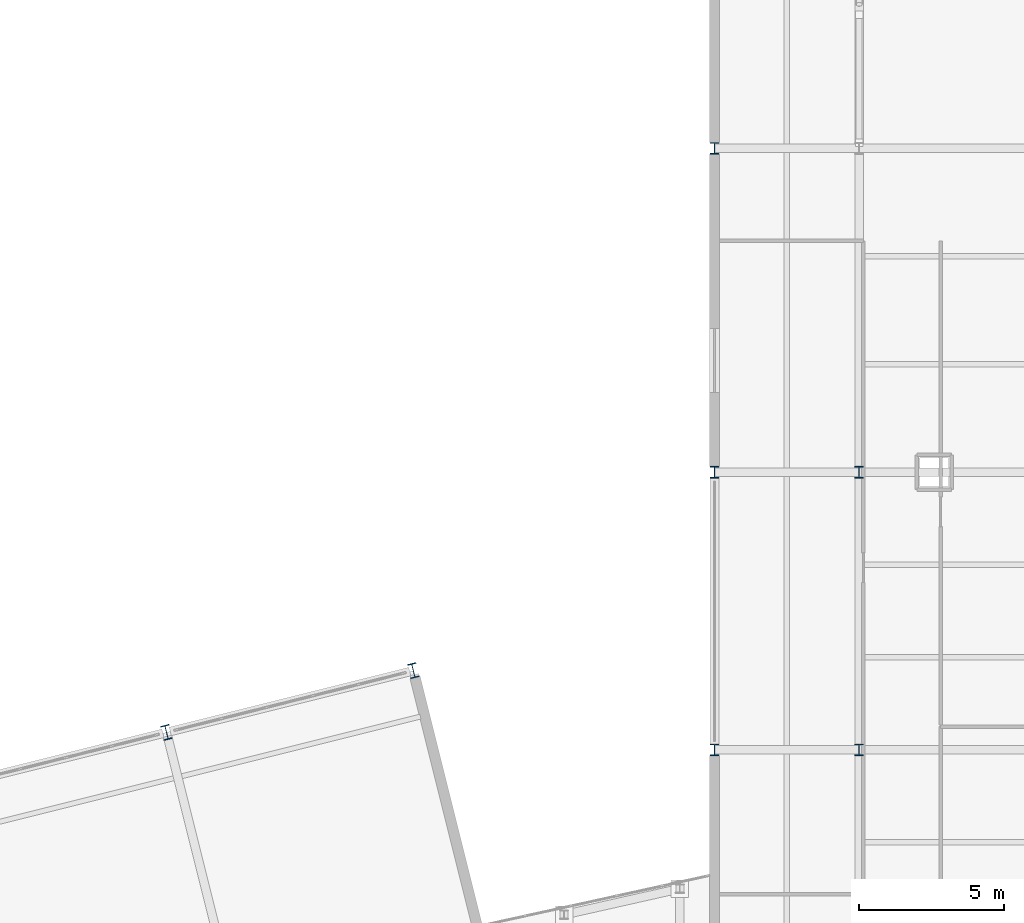
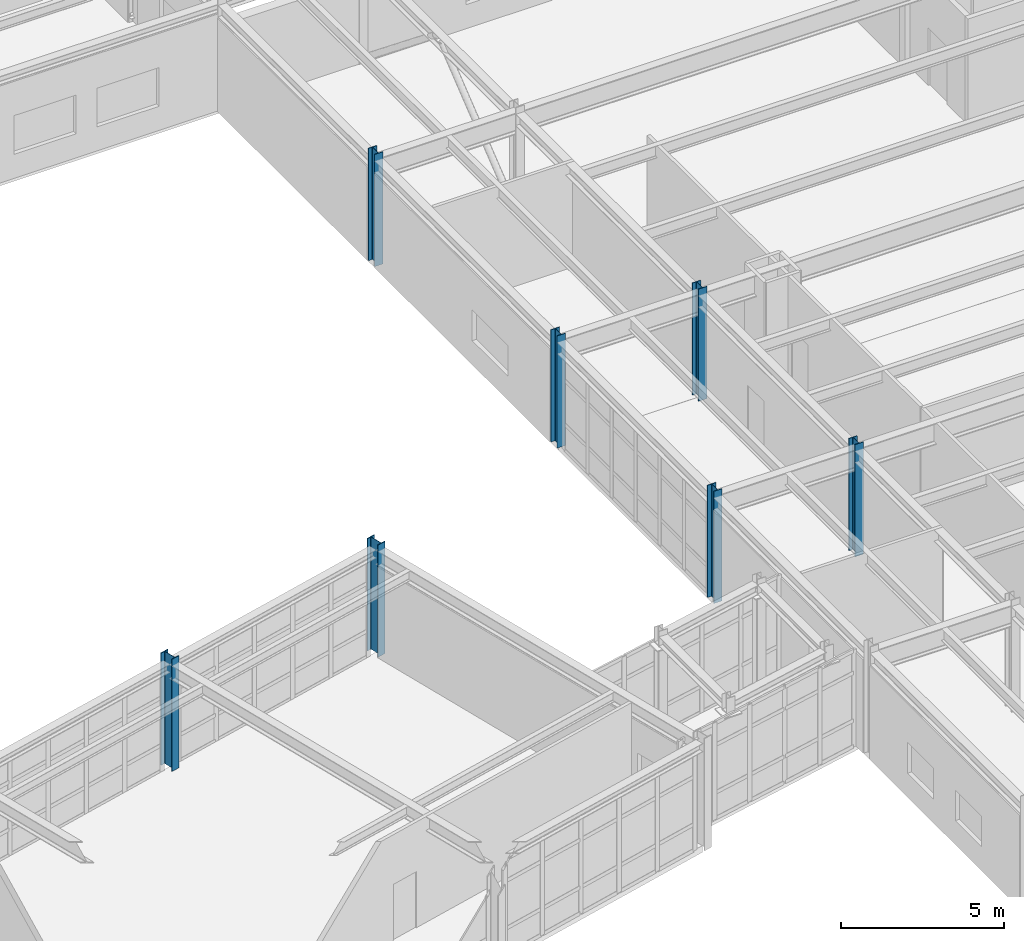
# One storey, part 13 of 99: 7 columns.
"""IFC4 building model written with IfcOpenShell, lengths in metres."""

import ifcopenshell
import ifcopenshell.guid

model = None  # the IFC model being written
_history = None  # IfcOwnerHistory: only IFC2X3 demands one
_inside = {}  # id of a spatial element -> (the spatial element, [elements in it])
_under = {}  # id of a project, library or spatial element -> (it, [spatial elements below it])
_declared = {}  # id of a project -> (the project, [libraries it declares])
_typed = {}  # id of a type object -> (the type object, [elements of that type])
_made_of = {}  # id of a material, layer set ... -> (it, [elements and type objects made of it])


def new_model(schema):
    """Start an empty IFC model of exactly this schema.

    Asked for "IFC4X3", IfcOpenShell would pick the latest addendum, in which some entities
    have other attributes; the version numbers below select the first issue.
    IFC2X3 requires an IfcOwnerHistory on every rooted entity: one is made here for all.
    """
    global model, _history
    if schema == "IFC4X3":
        model = ifcopenshell.file(schema_version=(4, 3, 0, 0))
    else:
        model = ifcopenshell.file(schema=schema)
    _inside.clear()
    _under.clear()
    _declared.clear()
    _typed.clear()
    _made_of.clear()
    _history = None
    if model.schema == "IFC2X3":
        org = make("IfcOrganization", Name="unknown")
        user = make(
            "IfcPersonAndOrganization",
            ThePerson=make("IfcPerson", FamilyName="unknown"),
            TheOrganization=org,
        )
        app = make(
            "IfcApplication",
            ApplicationDeveloper=org,
            Version="unknown",
            ApplicationFullName="unknown",
            ApplicationIdentifier="unknown",
        )
        _history = make(
            "IfcOwnerHistory",
            OwningUser=user,
            OwningApplication=app,
            ChangeAction="ADDED",
            CreationDate=0,
        )
    return model


def make(cls, **values):
    """One entity of the class cls with the attributes given. An attribute that is None is left unset."""
    return model.create_entity(
        cls, **{name: value for name, value in values.items() if value is not None}
    )


def rooted(cls, **values):
    """An entity with a GlobalId (a new one), such as an element, a storey or a relation."""
    return make(cls, GlobalId=ifcopenshell.guid.new(), OwnerHistory=_history, **values)


def si_unit(unit_type, name, prefix=None):
    """IfcSIUnit, for example si_unit("LENGTHUNIT", "METRE", prefix="MILLI")."""
    return make("IfcSIUnit", UnitType=unit_type, Prefix=prefix, Name=name)


def assignment(units):
    """IfcUnitAssignment: the units of a project."""
    return None if units is None else make("IfcUnitAssignment", Units=units)


def point(xyz):
    """IfcCartesianPoint."""
    return None if xyz is None else make("IfcCartesianPoint", Coordinates=xyz)


def direction(xyz):
    """IfcDirection."""
    return None if xyz is None else make("IfcDirection", DirectionRatios=xyz)


def frame(location, z_axis=None, x_axis=None):
    """IfcAxis2Placement3D, a coordinate frame: its origin and axes. An axis left out is left unset."""
    return make(
        "IfcAxis2Placement3D",
        Location=point(location),
        Axis=direction(z_axis),
        RefDirection=direction(x_axis),
    )


def frame_2d(location, x_axis=None):
    """IfcAxis2Placement2D, a coordinate frame in the plane: its origin and x axis."""
    return make(
        "IfcAxis2Placement2D", Location=point(location), RefDirection=direction(x_axis)
    )


def origin():
    """The frame at (0, 0, 0) with its axes left unset."""
    return frame((0.0, 0.0, 0.0))


def origin_2d():
    """The frame at (0, 0) in the plane with its x axis left unset."""
    return frame_2d((0.0, 0.0))


def place(relative_to, where):
    """IfcLocalPlacement: puts the frame where relative to a parent placement (None: the world)."""
    return make(
        "IfcLocalPlacement", PlacementRelTo=relative_to, RelativePlacement=where
    )


def context(
    kind, dimensions, precision=None, world=None, true_north=None, identifier=None
):
    """IfcGeometricRepresentationContext, for example the 3D "Model" context."""
    return make(
        "IfcGeometricRepresentationContext",
        ContextIdentifier=identifier,
        ContextType=kind,
        CoordinateSpaceDimension=dimensions,
        Precision=precision,
        WorldCoordinateSystem=world,
        TrueNorth=true_north,
    )


def subcontext(parent, identifier, kind, view, scale=None):
    """IfcGeometricRepresentationSubContext, for example "Body" below "Model"."""
    return make(
        "IfcGeometricRepresentationSubContext",
        ContextIdentifier=identifier,
        ContextType=kind,
        ParentContext=parent,
        TargetScale=scale,
        TargetView=view,
    )


def project(units=None, contexts=None):
    """IfcProject with its units and contexts."""
    return rooted(
        "IfcProject",
        Name="project",
        RepresentationContexts=contexts,
        UnitsInContext=assignment(units),
    )


def spatial(cls, under=None, at=None, **own):
    """A site, building, storey or space (cls), placed at a placement, below another one or the project."""
    s = rooted(cls, ObjectPlacement=at, **own)
    if under is not None:
        _under.setdefault(under.id(), (under, []))[1].append(s)
    return s


def profile(cls, at=None, kind="AREA", **sizes):
    """A parametric profile (cls). Its sizes go by their IFC names, for example OverallWidth=200.0."""
    return make(cls, ProfileType=kind, Position=at, **sizes)


def i_section(**sizes):
    """IfcIShapeProfileDef."""
    return profile("IfcIShapeProfileDef", **sizes)


def extrude(swept, where, along, depth):
    """IfcExtrudedAreaSolid: the profile swept, set in the frame where, extruded along a direction by depth."""
    return make(
        "IfcExtrudedAreaSolid",
        SweptArea=swept,
        Position=where,
        ExtrudedDirection=direction(along),
        Depth=depth,
    )


def shape(context_of_items, identifier, shape_type, items):
    """IfcShapeRepresentation: the items that make up one representation, for example the "Body"."""
    return make(
        "IfcShapeRepresentation",
        ContextOfItems=context_of_items,
        RepresentationIdentifier=identifier,
        RepresentationType=shape_type,
        Items=items,
    )


def material(Name=None, Category=None):
    """IfcMaterial."""
    return make("IfcMaterial", Name=Name, Category=Category)


def material_profile(
    of_material, cross_section, Name=None, Category=None, Priority=None
):
    """IfcMaterialProfile: a cross section and its material."""
    return make(
        "IfcMaterialProfile",
        Name=Name,
        Material=of_material,
        Profile=cross_section,
        Priority=Priority,
        Category=Category,
    )


def profile_set(profiles, Name=None, composite=None):
    """IfcMaterialProfileSet."""
    return make(
        "IfcMaterialProfileSet",
        Name=Name,
        MaterialProfiles=profiles,
        CompositeProfile=composite,
    )


def made_of(thing, what):
    """Note that an element or type object is made of a material, layer set ...; save() writes the relation."""
    if what is not None:
        _made_of.setdefault(what.id(), (what, []))[1].append(thing)
    return thing


def type_object(cls, material=None, **own):
    """A type object (cls), such as IfcWallType, which elements share."""
    return made_of(rooted(cls, **own), material)


def element(
    cls,
    number,
    at=None,
    inside=None,
    cuts=None,
    type_object=None,
    material=None,
    context=None,
    identifier="Body",
    shape_type=None,
    held_by="IfcProductDefinitionShape",
    body=None,
    shapes=None,
    **own,
):
    """One element of the class cls, such as IfcWall. Its Tag is "e" and its number.

    at: its placement. inside: the storey or other place that contains it. cuts: it is an
    opening in that element (IfcRelVoidsElement). A single representation is given by context,
    identifier, shape_type and body (its items); several are given by shapes. held_by: the class
    of the entity that holds the representations. save() writes the other relations.
    """
    e = rooted(cls, Tag="e%d" % number, ObjectPlacement=at, **own)
    if body is not None:
        shapes = [shape(context, identifier, shape_type, body)]
    if shapes is not None:
        e.Representation = make(held_by, Representations=shapes)
    if inside is not None:
        _inside.setdefault(inside.id(), (inside, []))[1].append(e)
    if cuts is not None:
        rooted(
            "IfcRelVoidsElement", RelatingBuildingElement=cuts, RelatedOpeningElement=e
        )
    if type_object is not None:
        _typed.setdefault(type_object.id(), (type_object, []))[1].append(e)
    return made_of(e, material)


def aggregate(whole, parts):
    """IfcRelAggregates: a whole, such as a stair, and the parts it consists of."""
    return rooted("IfcRelAggregates", RelatingObject=whole, RelatedObjects=parts)


def save(model, path):
    """Write the relations noted so far, then the file.

    IfcRelAggregates (storeys below a building ...), IfcRelContainedInSpatialStructure (elements
    in a storey), IfcRelDefinesByType, IfcRelAssociatesMaterial and IfcRelDeclares: one each for
    every whole, place, type object, material and project.
    """
    for whole, parts in _under.values():
        aggregate(whole, parts)
    for where, things in _inside.values():
        rooted(
            "IfcRelContainedInSpatialStructure",
            RelatedElements=things,
            RelatingStructure=where,
        )
    for kind, things in _typed.values():
        rooted("IfcRelDefinesByType", RelatedObjects=things, RelatingType=kind)
    for what, things in _made_of.values():
        rooted("IfcRelAssociatesMaterial", RelatedObjects=things, RelatingMaterial=what)
    for by, libraries in _declared.values():
        rooted("IfcRelDeclares", RelatingContext=by, RelatedDefinitions=libraries)
    model.write(path)


model = new_model("IFC4")

# Units and contexts
model_context = context("Model", 3, precision=1e-05, world=origin(), true_north=direction((0.0, 1.0)))
body_context = subcontext(model_context, "Body", "Model", "MODEL_VIEW")
ifc_project = project(units=[si_unit("LENGTHUNIT", "METRE"), si_unit("AREAUNIT", "SQUARE_METRE"), si_unit("VOLUMEUNIT", "CUBIC_METRE"), si_unit("PLANEANGLEUNIT", "RADIAN"), si_unit("MASSUNIT", "GRAM", prefix="KILO")], contexts=[model_context])

# Site, building, storey
site_placement = place(None, origin())
site = spatial("IfcSite", under=ifc_project, at=site_placement, CompositionType="ELEMENT")
building_placement = place(site_placement, origin())
building = spatial("IfcBuilding", under=site, at=building_placement, Name="Nordkorset Police Headquarters", CompositionType="ELEMENT")
storey_placement = place(building_placement, frame((0.0, 0.0, 5.25)))
storey = spatial("IfcBuildingStorey", under=building, at=storey_placement, Name="L01", CompositionType="ELEMENT", Elevation=5.25)

# Columns
ifc_material_1 = material(Name="Steel S355J2", Category="steel")
ifc_material_profile_1 = material_profile(ifc_material_1, i_section(OverallWidth=0.300048828125, OverallDepth=0.39990234375, WebThickness=0.013427734375, FlangeThickness=0.02392578125, FilletRadius=0.027099609375, at=origin_2d()), Name="HEB 400")
ifc_profile_set_1 = profile_set([ifc_material_profile_1], Name="Steel S355J2")
column_type_1 = type_object("IfcColumnType", Name="Col_HEB_400", PredefinedType="COLUMN", material=ifc_profile_set_1)
for number, where, z_axis, x_axis, name in (
    (1, (86.39990234375, 67.199951171875, 0.0), (0.0, 0.0, 1.0), (1.0, 0.0, 0.0), "Structural Column V5_X0_2 L01"),
    (2, (91.39990234375, 67.199951171875, 0.0), (0.0, 0.0, 1.0), (1.0, 0.0, 0.0), "Structural Column V5_X1_2 L01"),
    (3, (86.39990234375, 76.800048828125, 0.0), (0.0, 0.0, 1.0), (1.0, 0.0, 0.0), "Structural Column V5_X0_3 L01"),
    (4, (91.39990234375, 76.800048828125, 0.0), (0.0, 0.0, 1.0), (1.0, 0.0, 0.0), "Structural Column V5_X1_3 L01"),
    (5, (86.39990234375, 88.0, 0.0), (0.0, 0.0, 1.0), (1.0, 0.0, 0.0), "Structural Column V5_X0_4 L01"),
):
    element("IfcColumn", number, at=place(storey_placement, frame(where, z_axis=z_axis, x_axis=x_axis)), inside=storey, type_object=column_type_1, Name=name, PredefinedType="COLUMN", context=body_context, shape_type="SweptSolid", body=[
        extrude(i_section(OverallWidth=0.300048828125, OverallDepth=0.39990234375, WebThickness=0.013427734375, FlangeThickness=0.02392578125, FilletRadius=0.027099609375, at=origin_2d()), origin(), (0.0, 0.0, 1.0), 4.199951171875),
    ])
ifc_material_2 = material(Name="Steel S355J2", Category="steel")
ifc_material_profile_2 = material_profile(ifc_material_2, i_section(OverallWidth=0.300048828125, OverallDepth=0.5, WebThickness=0.014404296875, FlangeThickness=0.028076171875, FilletRadius=0.027099609375, at=origin_2d()), Name="HEB 500")
ifc_profile_set_2 = profile_set([ifc_material_profile_2], Name="Steel S355J2")
column_type_2 = type_object("IfcColumnType", Name="Col_HEB_500", PredefinedType="COLUMN", material=ifc_profile_set_2)
for number, where, z_axis, x_axis, name in (
    (6, (67.450439453125, 67.805908203125, 0.0), (0.0, 0.0, 1.0), (0.970142500145, 0.242535625038, 0.0), "Structural Column V4_U5_V1 L01"),
    (7, (75.98779296875, 69.940185546875, 0.0), (0.0, 0.0, 1.0), (0.970142500145, 0.242535625038, 0.0), "Structural Column V4_U6_V1 L01"),
):
    element("IfcColumn", number, at=place(storey_placement, frame(where, z_axis=z_axis, x_axis=x_axis)), inside=storey, type_object=column_type_2, Name=name, PredefinedType="COLUMN", context=body_context, shape_type="SweptSolid", body=[
        extrude(i_section(OverallWidth=0.300048828125, OverallDepth=0.5, WebThickness=0.014404296875, FlangeThickness=0.028076171875, FilletRadius=0.027099609375, at=origin_2d()), origin(), (0.0, 0.0, 1.0), 4.199951171875),
    ])

save(model, "model.ifc")
